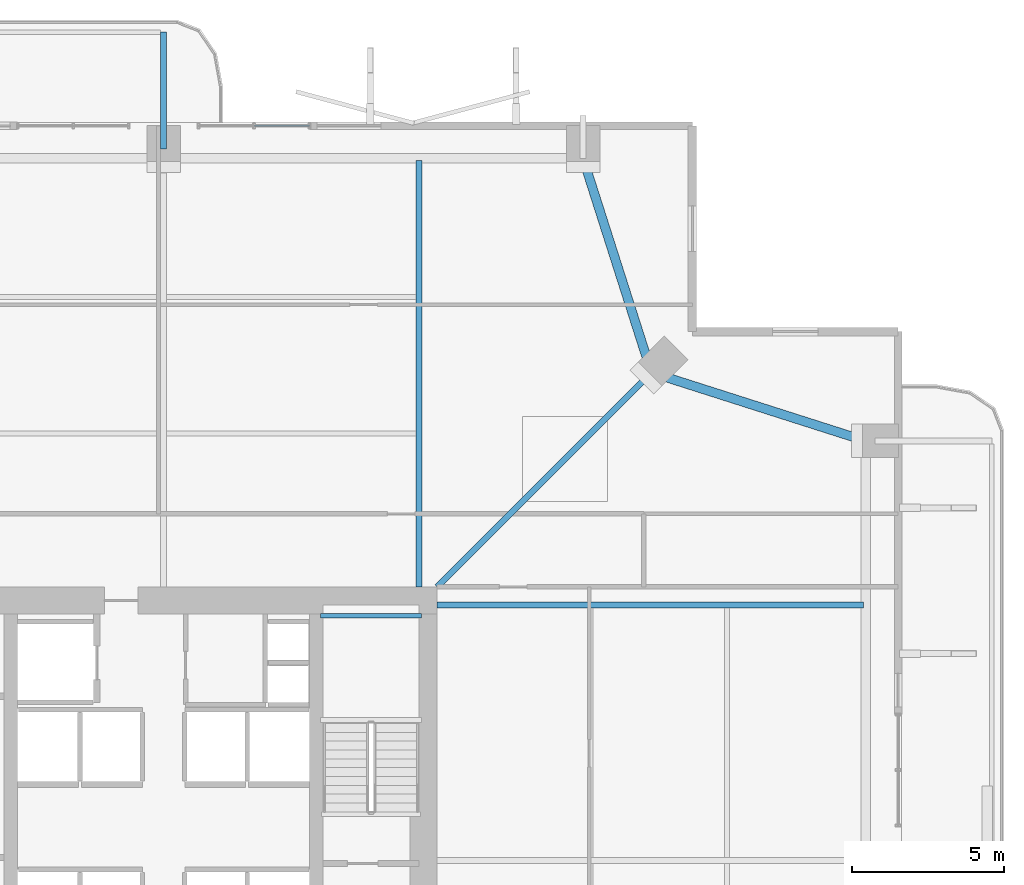
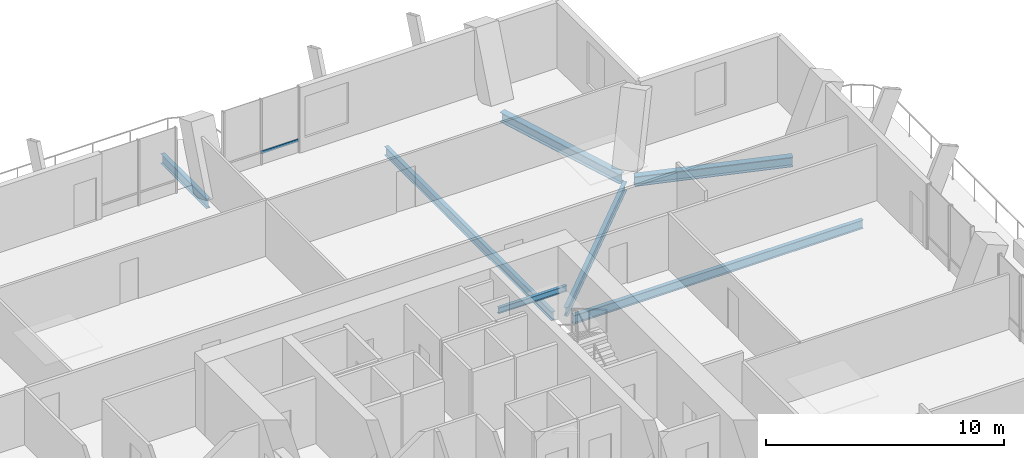
# One storey, part 14 of 24: 7 beams, 1 member, 1 element without a shape of its own.
"""IFC4 building model written with IfcOpenShell, lengths in metres."""

from ifc_helpers import new_model, si_unit, direction, frame, origin, origin_2d, place, context, subcontext, project, spatial, hollow_rectangle, i_section, extrude, material, layer, layer_set, material_profile, profile_set, type_object, element, aggregate, save


model = new_model("IFC4")

# Units and contexts
model_context = context("Model", 3, precision=1e-05, world=origin(), true_north=direction((0.0, 1.0)))
body_context = subcontext(model_context, "Body", "Model", "MODEL_VIEW")
ifc_project = project(units=[si_unit("LENGTHUNIT", "METRE"), si_unit("AREAUNIT", "SQUARE_METRE"), si_unit("VOLUMEUNIT", "CUBIC_METRE"), si_unit("PLANEANGLEUNIT", "RADIAN"), si_unit("MASSUNIT", "GRAM", prefix="KILO")], contexts=[model_context])

# Site, building, storey
site_placement = place(None, origin())
site = spatial("IfcSite", under=ifc_project, at=site_placement, CompositionType="ELEMENT")
building_placement = place(site_placement, origin())
building = spatial("IfcBuilding", under=site, at=building_placement, Name="Belovzor Exchange Tower", CompositionType="ELEMENT")
storey_placement = place(building_placement, frame((0.0, 0.0, 190.800048828125)))
storey = spatial("IfcBuildingStorey", under=building, at=storey_placement, Name="L47", CompositionType="ELEMENT", Elevation=190.800048828125)

# Beams
ifc_material_1 = material(Name="Steel S355", Category="steel")
ifc_material_profile_1 = material_profile(ifc_material_1, i_section(OverallWidth=0.199951171875, OverallDepth=0.5, WebThickness=0.01025390625, FlangeThickness=0.01611328125, at=origin_2d()))
ifc_profile_set_1 = profile_set([ifc_material_profile_1], Name="Steel S355")
beam_type_1 = type_object("IfcBeamType", Name="Planted Balcony Cantilever Beam IPE 500", PredefinedType="BEAM", material=ifc_profile_set_1)
beam_1_placement = place(storey_placement, frame((28.800048828125, 52.202880859375, -0.505126953125), z_axis=(0.0, 1.0, 0.0), x_axis=(-1.0, 0.0, 0.0)))
element("IfcBeam", 1, at=beam_1_placement, inside=storey, type_object=beam_type_1, Name="BC-500 Planted Balcony Cantilever Beam IPE 500", PredefinedType="BEAM", context=body_context, shape_type="SweptSolid", body=[
    extrude(i_section(OverallWidth=0.199951171875, OverallDepth=0.5, WebThickness=0.01025390625, FlangeThickness=0.01611328125, at=origin_2d()), origin(), (0.0, 0.0, 1.0), 3.85009765625),
])
ifc_material_2 = material(Name="Steel S355", Category="steel")
ifc_material_profile_2 = material_profile(ifc_material_2, i_section(OverallWidth=0.14990234375, OverallDepth=0.300048828125, WebThickness=0.007080078125, FlangeThickness=0.0107421875, at=origin_2d()))
ifc_profile_set_2 = profile_set([ifc_material_profile_2], Name="Steel S355")
beam_type_2 = type_object("IfcBeamType", Name="Secondary Trim Floor Joist IPE 300", PredefinedType="BEAM", material=ifc_profile_set_2)
beam_2_placement = place(storey_placement, frame((37.280029296875, 36.85009765625, 1.52490234375), z_axis=(-1.0, 0.0, 0.0), x_axis=(0.0, -1.0, 0.0)))
element("IfcBeam", 2, at=beam_2_placement, inside=storey, type_object=beam_type_2, Name="FJ-300 Secondary Trim Floor Joist IPE 300", PredefinedType="BEAM", context=body_context, shape_type="SweptSolid", body=[
    extrude(i_section(OverallWidth=0.14990234375, OverallDepth=0.300048828125, WebThickness=0.007080078125, FlangeThickness=0.0107421875, at=origin_2d()), origin(), (0.0, 0.0, 1.0), 3.31005859375),
])

# Curtain wall, member
ifc_material_3 = material(Name="Anodised Aluminium Framing", Category="aluminium")
ifc_layer = layer(ifc_material_3, 0.179931640625)
ifc_layer_set = layer_set([ifc_layer], Name="Anodised Aluminium Framing")
curtain_wall_type = type_object("IfcCurtainWallType", Name="Recessed Loggia Low-Iron Triple-Glazed Curtain Wall", PredefinedType="NOTDEFINED", material=ifc_layer_set)
curtain_wall_placement = place(storey_placement, origin())
curtain_wall = element("IfcCurtainWall", 3, at=curtain_wall_placement, inside=storey, type_object=curtain_wall_type, Name="CW3 Recessed Loggia Low-Iron Triple-Glazed Curtain Wall L47", PredefinedType="NOTDEFINED")
ifc_material_4 = material(Name="Steel S355", Category="steel")
ifc_material_profile_3 = material_profile(ifc_material_4, hollow_rectangle(XDim=0.06005859375, YDim=0.14990234375, WallThickness=0.00390625, at=origin_2d()))
ifc_profile_set_3 = profile_set([ifc_material_profile_3], Name="Steel S355")
member_type = type_object("IfcMemberType", Name="Thermally Broken Curtain Wall Transom 150x60", PredefinedType="USERDEFINED", material=ifc_profile_set_3)
member_placement = place(storey_placement, frame((31.782958984375, 52.969970703125, 0.60302734375), z_axis=(1.0, 0.0, 0.0), x_axis=(0.0, 1.0, 0.0)))
member = element("IfcMember", 4, at=member_placement, type_object=member_type, Name="CW-T150 Curtain Wall Transom 2", ObjectType="TRANSOM", PredefinedType="USERDEFINED", context=body_context, shape_type="SweptSolid", body=[
    extrude(hollow_rectangle(XDim=0.06005859375, YDim=0.14990234375, WallThickness=0.00390625, at=origin_2d()), origin(), (0.0, 0.0, 1.0), 1.80908203125),
])
aggregate(curtain_wall, [member])

# Beams
ifc_material_5 = material(Name="Steel S355", Category="steel")
ifc_material_profile_4 = material_profile(ifc_material_5, i_section(OverallWidth=0.18994140625, OverallDepth=0.449951171875, WebThickness=0.009521484375, FlangeThickness=0.0146484375, at=origin_2d()))
ifc_profile_set_4 = profile_set([ifc_material_profile_4], Name="Steel S355")
beam_type_3 = type_object("IfcBeamType", Name="Zone 2-4 Radial Composite Floor Beam IPE 450", PredefinedType="BEAM", material=ifc_profile_set_4)
for number, where, z_axis, x_axis, name in (
    (5, (37.199951171875, 37.800048828125, -0.47998046875), (0.0, 1.0, 0.0), (-1.0, 0.0, 0.0), "FB-450 Zone 2-4 Radial Composite Floor Beam IPE 450"),
    (6, (37.800048828125, 37.199951171875, -0.47998046875), (1.0, 0.0, 0.0), (0.0, 1.0, 0.0), "FB-450 Zone 2-4 Radial Composite Floor Beam IPE 450"),
):
    element("IfcBeam", number, at=place(storey_placement, frame(where, z_axis=z_axis, x_axis=x_axis)), inside=storey, type_object=beam_type_3, Name=name, PredefinedType="BEAM", context=body_context, shape_type="SweptSolid", body=[
        extrude(i_section(OverallWidth=0.18994140625, OverallDepth=0.449951171875, WebThickness=0.009521484375, FlangeThickness=0.0146484375, at=origin_2d()), origin(), (0.0, 0.0, 1.0), 14.02490234375),
    ])
beam_3_placement = place(storey_placement, frame((37.800048828125, 37.800048828125, -0.47998046875), z_axis=(0.707106781187, 0.707106781187, 0.0), x_axis=(-0.707106781187, 0.707106781187, 0.0)))
element("IfcBeam", 7, at=beam_3_placement, inside=storey, type_object=beam_type_3, Name="FB-450 Zone 2-4 Radial Composite Floor Beam IPE 450", PredefinedType="BEAM", context=body_context, shape_type="SweptSolid", body=[
    extrude(i_section(OverallWidth=0.18994140625, OverallDepth=0.449951171875, WebThickness=0.009521484375, FlangeThickness=0.0146484375, at=origin_2d()), origin(), (0.0, 0.0, 1.0), 9.5810546875),
])
ifc_material_6 = material(Name="Steel S355", Category="steel")
ifc_material_profile_5 = material_profile(ifc_material_6, i_section(OverallWidth=0.300048828125, OverallDepth=0.5, WebThickness=0.014404296875, FlangeThickness=0.028076171875, at=origin_2d()))
ifc_profile_set_5 = profile_set([ifc_material_profile_5], Name="Steel S355")
beam_type_4 = type_object("IfcBeamType", Name="Zone 3 Waist Primary Girder HEB 500", PredefinedType="BEAM", material=ifc_profile_set_5)
for number, where, z_axis, x_axis, name in (
    (8, (51.612060546875, 42.69189453125, -0.505126953125), (-0.952661203756, 0.304033930439, 0.0), (-0.304033930439, -0.952661203756, 0.0), "FG-Z3 Zone 3 Waist Primary Girder HEB 500"),
    (9, (44.758056640625, 45.137939453125, -0.505126953125), (-0.304033930439, 0.952661203756, 0.0), (-0.952661203756, -0.304033930439, 0.0), "FG-Z3 Zone 3 Waist Primary Girder HEB 500"),
):
    element("IfcBeam", number, at=place(storey_placement, frame(where, z_axis=z_axis, x_axis=x_axis)), inside=storey, type_object=beam_type_4, Name=name, PredefinedType="BEAM", context=body_context, shape_type="SweptSolid", body=[
        extrude(i_section(OverallWidth=0.300048828125, OverallDepth=0.5, WebThickness=0.014404296875, FlangeThickness=0.028076171875, at=origin_2d()), origin(), (0.0, 0.0, 1.0), 6.7958984375),
    ])

save(model, "model.ifc")
